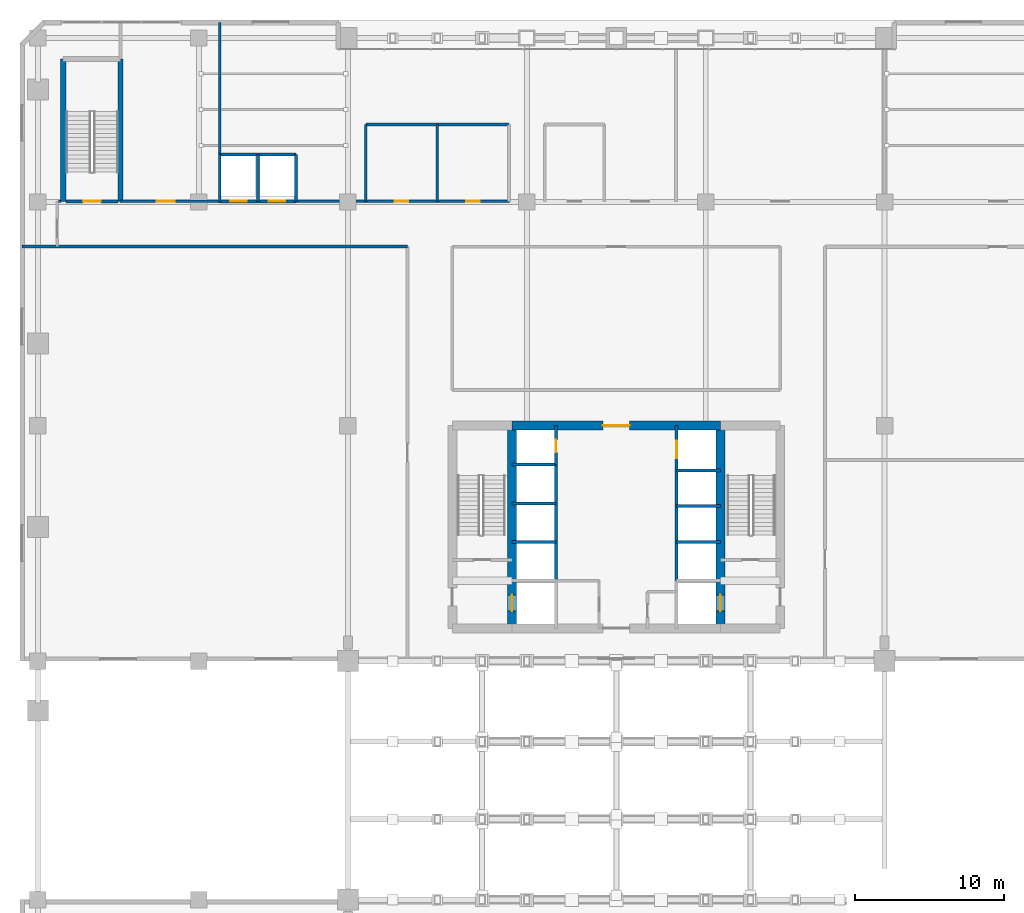
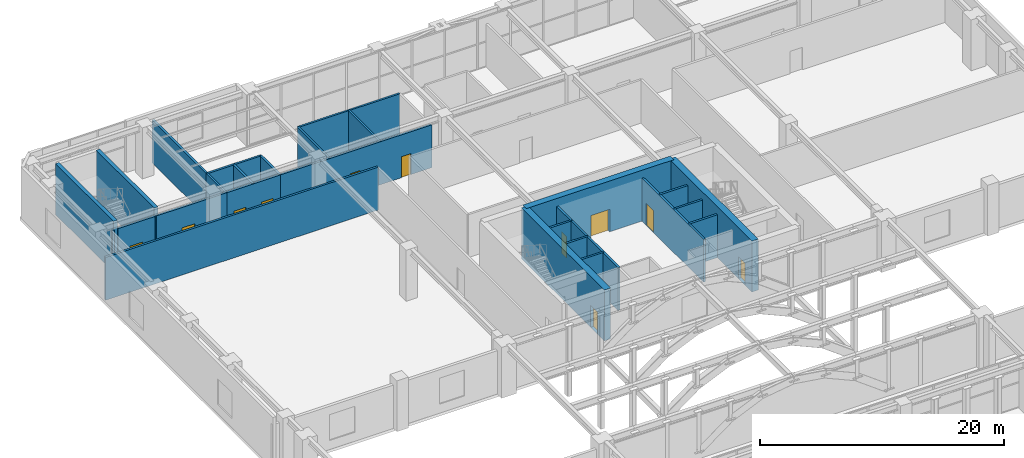
# One storey, part 27 of 32: 28 walls, 11 doors, 11 openings.
"""IFC4 building model written with IfcOpenShell, lengths in metres."""

from ifc_helpers import new_model, si_unit, direction, frame, frame_2d, origin, place, context, subcontext, project, spatial, rectangle, extrude, material, layer, layer_set, type_object, element, fill, save


model = new_model("IFC4")

# Units and contexts
model_context = context("Model", 3, precision=1e-05, world=origin(), true_north=direction((0.0, 1.0)))
body_context = subcontext(model_context, "Body", "Model", "MODEL_VIEW")
ifc_project = project(units=[si_unit("LENGTHUNIT", "METRE"), si_unit("AREAUNIT", "SQUARE_METRE"), si_unit("VOLUMEUNIT", "CUBIC_METRE"), si_unit("PLANEANGLEUNIT", "RADIAN"), si_unit("MASSUNIT", "GRAM", prefix="KILO")], contexts=[model_context])

# Site, building, storey
site_placement = place(None, origin())
site = spatial("IfcSite", under=ifc_project, at=site_placement, CompositionType="ELEMENT")
building_placement = place(site_placement, origin())
building = spatial("IfcBuilding", under=site, at=building_placement, Name="Sarneth Arch Tower", CompositionType="ELEMENT")
storey_placement = place(building_placement, frame((0.0, 0.0, 11.39990234375)))
storey = spatial("IfcBuildingStorey", under=building, at=storey_placement, Name="L02", CompositionType="ELEMENT", Elevation=11.39990234375)

# Walls
ifc_material_1 = material(Name="Concrete C50/60", Category="concrete")
ifc_layer_1 = layer(ifc_material_1, 0.35009765625)
ifc_layer_set_1 = layer_set([ifc_layer_1], Name="Concrete C50/60")
wall_type_1 = type_object("IfcWallType", Name="WALL-CORE-350", PredefinedType="SHEAR", material=ifc_layer_set_1)
for number, where, z_axis, x_axis, name in (
    (1, (10.89990234375, 63.85009765625, 0.0), (0.0, 0.0, 1.0), (0.0, 1.0, 0.0), "L02 Podium stair core wall STP1-W"),
    (2, (14.75, 63.85009765625, 0.0), (0.0, 0.0, 1.0), (0.0, 1.0, 0.0), "L02 Podium stair core wall STP1-E"),
):
    element("IfcWall", number, at=place(storey_placement, frame(where, z_axis=z_axis, x_axis=x_axis)), inside=storey, type_object=wall_type_1, Name=name, PredefinedType="SHEAR", context=body_context, shape_type="SweptSolid", body=[
        extrude(rectangle(XDim=9.5498046875, YDim=0.35009765625, at=frame_2d((4.77490234375, 0.0))), origin(), (0.0, 0.0, 1.0), 5.10009765625),
    ])

# Wall, opening, door
ifc_material_2 = material(Name="Concrete C60/75", Category="concrete")
ifc_layer_2 = layer(ifc_material_2, 0.60009765625)
ifc_layer_set_2 = layer_set([ifc_layer_2], Name="Concrete C60/75")
wall_type_2 = type_object("IfcWallType", Name="WALL-CORE-600", PredefinedType="SHEAR", material=ifc_layer_set_2)
wall_1_placement = place(storey_placement, frame((41.0, 48.800048828125, 0.0), z_axis=(0.0, 0.0, 1.0), x_axis=(1.0, 0.0, 0.0)))
wall_1 = element("IfcWall", 3, at=wall_1_placement, inside=storey, type_object=wall_type_2, Name="L02 Core shear wall N-M", PredefinedType="SHEAR", context=body_context, shape_type="SweptSolid", body=[
    extrude(rectangle(XDim=14.0, YDim=0.60009765625, at=frame_2d((7.0, 0.0))), origin(), (0.0, 0.0, 1.0), 5.10009765625),
])
opening_1_placement = place(wall_1_placement, frame((6.10009765625, 0.0, 0.0)))
opening_1 = element("IfcOpeningElement", 4, at=opening_1_placement, cuts=wall_1, Name="Opening FD-01", PredefinedType="OPENING", context=body_context, shape_type="SweptSolid", body=[
    extrude(rectangle(XDim=1.800048828125, YDim=2.25, at=frame_2d((0.89990234375, 1.125))), frame((0.0, 0.31005859375, 0.0), z_axis=(0.0, -1.0, 0.0), x_axis=(1.0, 0.0, 0.0)), (0.0, 0.0, 1.0), 0.6201171875),
])
ifc_material_3 = material(Name="Galvanised Steel S275 fire door set", Category="steel")
door_type_1 = type_object("IfcDoorType", Name="DR-FD90-1800", OperationType="DOUBLE_DOOR_SINGLE_SWING", PredefinedType="DOOR", material=ifc_material_3)
door_1_placement = place(opening_1_placement, origin())
door_1 = element("IfcDoor", 5, at=door_1_placement, inside=storey, type_object=door_type_1, Name="L02 Central lift lobby north door", OperationType="DOUBLE_DOOR_SINGLE_SWING", OverallHeight=2.25, OverallWidth=1.800048828125, PredefinedType="DOOR", context=body_context, shape_type="SweptSolid", body=[
    extrude(rectangle(XDim=1.800048828125, YDim=2.25, at=frame_2d((0.89990234375, 1.125))), frame((0.0, 0.02490234375, 0.0), z_axis=(0.0, -1.0, 0.0), x_axis=(1.0, 0.0, 0.0)), (0.0, 0.0, 1.0), 0.050048828125),
])
fill(opening_1, door_1)

wall_2_placement = place(storey_placement, frame((41.0, 35.199951171875, 0.0), z_axis=(0.0, 0.0, 1.0), x_axis=(0.0, 1.0, 0.0)))
wall_2 = element("IfcWall", 6, at=wall_2_placement, inside=storey, type_object=wall_type_2, Name="L02 Core shear wall WEB-W", PredefinedType="SHEAR", context=body_context, shape_type="SweptSolid", body=[
    extrude(rectangle(XDim=13.60009765625, YDim=0.60009765625, at=frame_2d((6.800048828125, 0.0))), origin(), (0.0, 0.0, 1.0), 5.10009765625),
])
opening_2_placement = place(wall_2_placement, frame((1.14990234375, 0.0, 0.0)))
opening_2 = element("IfcOpeningElement", 7, at=opening_2_placement, cuts=wall_2, Name="Opening LD-1", PredefinedType="OPENING", context=body_context, shape_type="SweptSolid", body=[
    extrude(rectangle(XDim=1.10009765625, YDim=2.199951171875, at=frame_2d((0.550048828125, 1.10009765625))), frame((0.0, 0.31005859375, 0.0), z_axis=(0.0, -1.0, 0.0), x_axis=(1.0, 0.0, 0.0)), (0.0, 0.0, 1.0), 0.6201171875),
])
ifc_material_4 = material(Name="Brushed Stainless Steel 304 lift landing door", Category="steel")
door_type_2 = type_object("IfcDoorType", Name="DR-LIFT-SLIDE-1100", OperationType="SLIDING_TO_LEFT", PredefinedType="DOOR", material=ifc_material_4)
door_2_placement = place(opening_2_placement, origin())
door_2 = element("IfcDoor", 8, at=door_2_placement, inside=storey, type_object=door_type_2, Name="L02 Firefighting lift landing door FL-1", OperationType="SLIDING_TO_LEFT", OverallHeight=2.199951171875, OverallWidth=1.10009765625, PredefinedType="DOOR", context=body_context, shape_type="SweptSolid", body=[
    extrude(rectangle(XDim=1.10009765625, YDim=2.199951171875, at=frame_2d((0.550048828125, 1.10009765625))), frame((0.0, 0.02490234375, 0.0), z_axis=(0.0, -1.0, 0.0), x_axis=(1.0, 0.0, 0.0)), (0.0, 0.0, 1.0), 0.050048828125),
])
fill(opening_2, door_2)

wall_3_placement = place(storey_placement, frame((55.0, 35.199951171875, 0.0), z_axis=(0.0, 0.0, 1.0), x_axis=(0.0, 1.0, 0.0)))
wall_3 = element("IfcWall", 9, at=wall_3_placement, inside=storey, type_object=wall_type_2, Name="L02 Core shear wall WEB-E", PredefinedType="SHEAR", context=body_context, shape_type="SweptSolid", body=[
    extrude(rectangle(XDim=13.60009765625, YDim=0.60009765625, at=frame_2d((6.800048828125, 0.0))), origin(), (0.0, 0.0, 1.0), 5.10009765625),
])
opening_3_placement = place(wall_3_placement, frame((1.14990234375, 0.0, 0.0)))
opening_3 = element("IfcOpeningElement", 10, at=opening_3_placement, cuts=wall_3, Name="Opening LD-1", PredefinedType="OPENING", context=body_context, shape_type="SweptSolid", body=[
    extrude(rectangle(XDim=1.10009765625, YDim=2.199951171875, at=frame_2d((0.550048828125, 1.10009765625))), frame((0.0, 0.31005859375, 0.0), z_axis=(0.0, -1.0, 0.0), x_axis=(1.0, 0.0, 0.0)), (0.0, 0.0, 1.0), 0.6201171875),
])
door_3_placement = place(opening_3_placement, origin())
door_3 = element("IfcDoor", 11, at=door_3_placement, inside=storey, type_object=door_type_2, Name="L02 Firefighting lift landing door FL-2", OperationType="SLIDING_TO_RIGHT", OverallHeight=2.199951171875, OverallWidth=1.10009765625, PredefinedType="DOOR", context=body_context, shape_type="SweptSolid", body=[
    extrude(rectangle(XDim=1.10009765625, YDim=2.199951171875, at=frame_2d((0.550048828125, 1.10009765625))), frame((0.0, 0.02490234375, 0.0), z_axis=(0.0, -1.0, 0.0), x_axis=(1.0, 0.0, 0.0)), (0.0, 0.0, 1.0), 0.050048828125),
])
fill(opening_3, door_3)

ifc_material_5 = material(Name="Double steel-stud corridor fire wall", Category="steel")
ifc_layer_3 = layer(ifc_material_5, 0.18994140625)
ifc_layer_set_3 = layer_set([ifc_layer_3], Name="Double steel-stud corridor fire wall")
wall_type_3 = type_object("IfcWallType", Name="WALL-CORR-190", PredefinedType="PARTITIONING", material=ifc_layer_set_3)
wall_4_placement = place(storey_placement, frame((14.718017578125, 63.85009765625, 0.0), z_axis=(0.0, 0.0, 1.0), x_axis=(1.0, 0.0, 0.0)))
wall_4 = element("IfcWall", 12, at=wall_4_placement, inside=storey, type_object=wall_type_3, Name="L02 Interior partition W-L02-TP-018", PredefinedType="PARTITIONING", context=body_context, shape_type="SweptSolid", body=[
    extrude(rectangle(XDim=6.7138671875, YDim=0.18994140625, at=frame_2d((3.35693359375, 0.0))), origin(), (0.0, 0.0, 1.0), 4.300048828125),
])
opening_4_placement = place(wall_4_placement, frame((2.45703125, 0.0, 0.0)))
opening_4 = element("IfcOpeningElement", 13, at=opening_4_placement, cuts=wall_4, Name="Opening FD-06", PredefinedType="OPENING", context=body_context, shape_type="SweptSolid", body=[
    extrude(rectangle(XDim=1.199951171875, YDim=2.25, at=frame_2d((0.60009765625, 1.125))), frame((0.0, 0.10498046875, 0.0), z_axis=(0.0, -1.0, 0.0), x_axis=(1.0, 0.0, 0.0)), (0.0, 0.0, 1.0), 0.2099609375),
])
ifc_material_6 = material(Name="Hardwood timber acoustic fire door", Category="wood")
door_type_3 = type_object("IfcDoorType", Name="DR-FD60-1200", OperationType="SINGLE_SWING_LEFT", PredefinedType="DOOR", material=ifc_material_6)
door_4_placement = place(opening_4_placement, origin())
door_4 = element("IfcDoor", 14, at=door_4_placement, inside=storey, type_object=door_type_3, Name="L02 Interior door DR-L02-STRW", OperationType="SINGLE_SWING_RIGHT", OverallHeight=2.25, OverallWidth=1.199951171875, PredefinedType="DOOR", context=body_context, shape_type="SweptSolid", body=[
    extrude(rectangle(XDim=1.199951171875, YDim=2.25, at=frame_2d((0.60009765625, 1.125))), frame((0.0, 0.02490234375, 0.0), z_axis=(0.0, -1.0, 0.0), x_axis=(1.0, 0.0, 0.0)), (0.0, 0.0, 1.0), 0.050048828125),
])
fill(opening_4, door_4)

# Wall, openings, doors
wall_5_placement = place(storey_placement, frame((26.468017578125, 63.85009765625, 0.0), z_axis=(0.0, 0.0, 1.0), x_axis=(1.0, 0.0, 0.0)))
wall_5 = element("IfcWall", 15, at=wall_5_placement, inside=storey, type_object=wall_type_3, Name="L02 Interior partition W-L02-TP-010", PredefinedType="PARTITIONING", context=body_context, shape_type="SweptSolid", body=[
    extrude(rectangle(XDim=14.364013671875, YDim=0.18994140625, at=frame_2d((7.18212890625, 0.0))), origin(), (0.0, 0.0, 1.0), 4.300048828125),
])
opening_5_placement = place(wall_5_placement, frame((6.681884765625, 0.0, 0.0)))
opening_5 = element("IfcOpeningElement", 16, at=opening_5_placement, cuts=wall_5, Name="Opening ID-01", PredefinedType="OPENING", context=body_context, shape_type="SweptSolid", body=[
    extrude(rectangle(XDim=0.89990234375, YDim=2.10009765625, at=frame_2d((0.449951171875, 1.050048828125))), frame((0.0, 0.10498046875, 0.0), z_axis=(0.0, -1.0, 0.0), x_axis=(1.0, 0.0, 0.0)), (0.0, 0.0, 1.0), 0.2099609375),
])
opening_6_placement = place(wall_5_placement, frame((11.48193359375, 0.0, 0.0)))
opening_6 = element("IfcOpeningElement", 17, at=opening_6_placement, cuts=wall_5, Name="Opening ID-01", PredefinedType="OPENING", context=body_context, shape_type="SweptSolid", body=[
    extrude(rectangle(XDim=0.89990234375, YDim=2.10009765625, at=frame_2d((0.449951171875, 1.050048828125))), frame((0.0, 0.10498046875, 0.0), z_axis=(0.0, -1.0, 0.0), x_axis=(1.0, 0.0, 0.0)), (0.0, 0.0, 1.0), 0.2099609375),
])
ifc_material_7 = material(Name="Engineered hardwood flush door", Category="wood")
door_type_4 = type_object("IfcDoorType", Name="DR-INT-900", OperationType="SINGLE_SWING_LEFT", PredefinedType="DOOR", material=ifc_material_7)
door_5_placement = place(opening_5_placement, origin())
door_5 = element("IfcDoor", 18, at=door_5_placement, inside=storey, type_object=door_type_4, Name="L02 Interior door DR-L02-WCM", OperationType="SINGLE_SWING_RIGHT", OverallHeight=2.10009765625, OverallWidth=0.89990234375, PredefinedType="DOOR", context=body_context, shape_type="SweptSolid", body=[
    extrude(rectangle(XDim=0.89990234375, YDim=2.10009765625, at=frame_2d((0.449951171875, 1.050048828125))), frame((0.0, 0.02490234375, 0.0), z_axis=(0.0, -1.0, 0.0), x_axis=(1.0, 0.0, 0.0)), (0.0, 0.0, 1.0), 0.050048828125),
])
fill(opening_5, door_5)
door_6_placement = place(opening_6_placement, origin())
door_6 = element("IfcDoor", 19, at=door_6_placement, inside=storey, type_object=door_type_4, Name="L02 Interior door DR-L02-WCW", OperationType="SINGLE_SWING_LEFT", OverallHeight=2.10009765625, OverallWidth=0.89990234375, PredefinedType="DOOR", context=body_context, shape_type="SweptSolid", body=[
    extrude(rectangle(XDim=0.89990234375, YDim=2.10009765625, at=frame_2d((0.449951171875, 1.050048828125))), frame((0.0, 0.02490234375, 0.0), z_axis=(0.0, -1.0, 0.0), x_axis=(1.0, 0.0, 0.0)), (0.0, 0.0, 1.0), 0.050048828125),
])
fill(opening_6, door_6)

# Walls
wall_6_placement = place(storey_placement, frame((10.580078125, 63.85009765625, 0.0), z_axis=(0.0, 0.0, 1.0), x_axis=(1.0, 0.0, 0.0)))
element("IfcWall", 20, at=wall_6_placement, inside=storey, type_object=wall_type_3, Name="L02 Interior partition W-L02-TP-020", PredefinedType="PARTITIONING", context=body_context, shape_type="SweptSolid", body=[
    extrude(rectangle(XDim=0.159912109375, YDim=0.18994140625, at=frame_2d((0.080078125, 0.0))), origin(), (0.0, 0.0, 1.0), 4.300048828125),
])
ifc_material_8 = material(Name="Moisture-resistant plumbing chase wall", Category="gypsum")
ifc_layer_4 = layer(ifc_material_8, 0.179931640625)
ifc_layer_set_4 = layer_set([ifc_layer_4], Name="Moisture-resistant plumbing chase wall")
wall_type_4 = type_object("IfcWallType", Name="WALL-PLUMB-180", PredefinedType="PLUMBINGWALL", material=ifc_layer_set_4)
for number, where, z_axis, x_axis, name in (
    (21, (36.0, 69.0, 0.0), (0.0, 0.0, 1.0), (0.0, -1.0, 0.0), "L02 Interior partition W-L02-TP-025"),
    (22, (31.199951171875, 63.85009765625, 0.0), (0.0, 0.0, 1.0), (0.0, 1.0, 0.0), "L02 Interior partition W-L02-TP-026"),
):
    element("IfcWall", number, at=place(storey_placement, frame(where, z_axis=z_axis, x_axis=x_axis)), inside=storey, type_object=wall_type_4, Name=name, PredefinedType="PLUMBINGWALL", context=body_context, shape_type="SweptSolid", body=[
        extrude(rectangle(XDim=5.14990234375, YDim=0.179931640625, at=frame_2d((2.574951171875, 0.0))), origin(), (0.0, 0.0, 1.0), 4.300048828125),
    ])
wall_7_placement = place(storey_placement, frame((31.199951171875, 69.0, 0.0), z_axis=(0.0, 0.0, 1.0), x_axis=(1.0, 0.0, 0.0)))
element("IfcWall", 23, at=wall_7_placement, inside=storey, type_object=wall_type_4, Name="L02 Interior partition W-L02-TP-027", PredefinedType="PLUMBINGWALL", context=body_context, shape_type="SweptSolid", body=[
    extrude(rectangle(XDim=9.60009765625, YDim=0.179931640625, at=frame_2d((4.800048828125, 0.0))), origin(), (0.0, 0.0, 1.0), 4.300048828125),
])
ifc_material_9 = material(Name="Aerated concrete blockwork C25/30", Category="masonry")
ifc_layer_5 = layer(ifc_material_9, 0.199951171875)
ifc_layer_set_5 = layer_set([ifc_layer_5], Name="Aerated concrete blockwork C25/30")
wall_type_5 = type_object("IfcWallType", Name="WALL-SHAFT-200", PredefinedType="SOLIDWALL", material=ifc_layer_set_5)
wall_8_placement = place(storey_placement, frame((41.0, 46.199951171875, 0.0), z_axis=(0.0, 0.0, 1.0), x_axis=(1.0, 0.0, 0.0)))
element("IfcWall", 24, at=wall_8_placement, inside=storey, type_object=wall_type_5, Name="L02 Interior partition W-L02-RISER-S", PredefinedType="SOLIDWALL", context=body_context, shape_type="SweptSolid", body=[
    extrude(rectangle(XDim=2.949951171875, YDim=0.199951171875, at=frame_2d((1.47509765625, 0.0))), origin(), (0.0, 0.0, 1.0), 4.300048828125),
])

# Wall, opening, door
wall_9_placement = place(storey_placement, frame((43.949951171875, 46.199951171875, 0.0), z_axis=(0.0, 0.0, 1.0), x_axis=(0.0, 1.0, 0.0)))
wall_9 = element("IfcWall", 25, at=wall_9_placement, inside=storey, type_object=wall_type_5, Name="L02 Interior partition W-L02-RISER-E", PredefinedType="SOLIDWALL", context=body_context, shape_type="SweptSolid", body=[
    extrude(rectangle(XDim=2.60009765625, YDim=0.199951171875, at=frame_2d((1.300048828125, 0.0))), origin(), (0.0, 0.0, 1.0), 4.300048828125),
])
opening_7_placement = place(wall_9_placement, frame((0.800048828125, 0.0, 0.0)))
opening_7 = element("IfcOpeningElement", 26, at=opening_7_placement, cuts=wall_9, Name="Opening FD-11", PredefinedType="OPENING", context=body_context, shape_type="SweptSolid", body=[
    extrude(rectangle(XDim=0.85009765625, YDim=2.14990234375, at=frame_2d((0.425048828125, 1.074951171875))), frame((0.0, 0.10986328125, 0.0), z_axis=(0.0, -1.0, 0.0), x_axis=(1.0, 0.0, 0.0)), (0.0, 0.0, 1.0), 0.219970703125),
])
ifc_material_10 = material(Name="Galvanised Steel S275 closet fire door", Category="steel")
door_type_5 = type_object("IfcDoorType", Name="DR-FD60-850", OperationType="SINGLE_SWING_LEFT", PredefinedType="DOOR", material=ifc_material_10)
door_7_placement = place(opening_7_placement, origin())
door_7 = element("IfcDoor", 27, at=door_7_placement, inside=storey, type_object=door_type_5, Name="L02 Lift landing door DR-L02-RISER", OperationType="SINGLE_SWING_LEFT", OverallHeight=2.14990234375, OverallWidth=0.85009765625, PredefinedType="DOOR", context=body_context, shape_type="SweptSolid", body=[
    extrude(rectangle(XDim=0.85009765625, YDim=2.14990234375, at=frame_2d((0.425048828125, 1.074951171875))), frame((0.0, 0.02490234375, 0.0), z_axis=(0.0, -1.0, 0.0), x_axis=(1.0, 0.0, 0.0)), (0.0, 0.0, 1.0), 0.050048828125),
])
fill(opening_7, door_7)

# Walls
wall_10_placement = place(storey_placement, frame((43.949951171875, 38.39990234375, 0.0), z_axis=(0.0, 0.0, 1.0), x_axis=(0.0, 1.0, 0.0)))
element("IfcWall", 28, at=wall_10_placement, inside=storey, type_object=wall_type_5, Name="L02 Interior partition W-L02-WESTBANK-FRONT", PredefinedType="SOLIDWALL", context=body_context, shape_type="SweptSolid", body=[
    extrude(rectangle(XDim=7.800048828125, YDim=0.199951171875, at=frame_2d((3.89990234375, 0.0))), origin(), (0.0, 0.0, 1.0), 4.300048828125),
])
for number, where, z_axis, x_axis, name in (
    (29, (41.0, 40.97998046875, 0.0), (0.0, 0.0, 1.0), (1.0, 0.0, 0.0), "L02 Interior partition W-L02-WB-DIV-4098"),
    (30, (41.0, 43.580078125, 0.0), (0.0, 0.0, 1.0), (1.0, 0.0, 0.0), "L02 Interior partition W-L02-WB-DIV-4358"),
):
    element("IfcWall", number, at=place(storey_placement, frame(where, z_axis=z_axis, x_axis=x_axis)), inside=storey, type_object=wall_type_5, Name=name, PredefinedType="SOLIDWALL", context=body_context, shape_type="SweptSolid", body=[
        extrude(rectangle(XDim=2.949951171875, YDim=0.199951171875, at=frame_2d((1.47509765625, 0.0))), origin(), (0.0, 0.0, 1.0), 4.300048828125),
    ])

# Wall, opening, door
wall_11_placement = place(storey_placement, frame((52.050048828125, 38.39990234375, 0.0), z_axis=(0.0, 0.0, 1.0), x_axis=(0.0, 1.0, 0.0)))
wall_11 = element("IfcWall", 31, at=wall_11_placement, inside=storey, type_object=wall_type_5, Name="L02 Interior partition W-L02-EASTBANK-FRONT", PredefinedType="SOLIDWALL", context=body_context, shape_type="SweptSolid", body=[
    extrude(rectangle(XDim=10.400146484375, YDim=0.199951171875, at=frame_2d((5.2001953125, 0.0))), origin(), (0.0, 0.0, 1.0), 4.300048828125),
])
opening_8_placement = place(wall_11_placement, frame((8.199951171875, 0.0, 0.0)))
opening_8 = element("IfcOpeningElement", 32, at=opening_8_placement, cuts=wall_11, Name="Opening LD-2", PredefinedType="OPENING", context=body_context, shape_type="SweptSolid", body=[
    extrude(rectangle(XDim=1.199951171875, YDim=2.199951171875, at=frame_2d((0.60009765625, 1.10009765625))), frame((0.0, 0.10986328125, 0.0), z_axis=(0.0, -1.0, 0.0), x_axis=(1.0, 0.0, 0.0)), (0.0, 0.0, 1.0), 0.219970703125),
])
ifc_material_11 = material(Name="Brushed Stainless Steel 304 service lift door", Category="steel")
door_type_6 = type_object("IfcDoorType", Name="DR-LIFT-SLIDE-1200", OperationType="SLIDING_TO_RIGHT", PredefinedType="DOOR", material=ifc_material_11)
door_8_placement = place(opening_8_placement, origin())
door_8 = element("IfcDoor", 33, at=door_8_placement, inside=storey, type_object=door_type_6, Name="L02 Lift landing door DR-L02-LD-SL1", OperationType="SLIDING_TO_RIGHT", OverallHeight=2.199951171875, OverallWidth=1.199951171875, PredefinedType="DOOR", context=body_context, shape_type="SweptSolid", body=[
    extrude(rectangle(XDim=1.199951171875, YDim=2.199951171875, at=frame_2d((0.60009765625, 1.10009765625))), frame((0.0, 0.02490234375, 0.0), z_axis=(0.0, -1.0, 0.0), x_axis=(1.0, 0.0, 0.0)), (0.0, 0.0, 1.0), 0.050048828125),
])
fill(opening_8, door_8)

# Walls
for number, where, z_axis, x_axis, name in (
    (34, (52.050048828125, 40.97998046875, 0.0), (0.0, 0.0, 1.0), (1.0, 0.0, 0.0), "L02 Interior partition W-L02-EB-DIV-4098"),
    (35, (52.050048828125, 43.419921875, 0.0), (0.0, 0.0, 1.0), (1.0, 0.0, 0.0), "L02 Interior partition W-L02-EB-DIV-4342"),
    (36, (52.050048828125, 45.800048828125, 0.0), (0.0, 0.0, 1.0), (1.0, 0.0, 0.0), "L02 Interior partition W-L02-EB-DIV-4580"),
):
    element("IfcWall", number, at=place(storey_placement, frame(where, z_axis=z_axis, x_axis=x_axis)), inside=storey, type_object=wall_type_5, Name=name, PredefinedType="SOLIDWALL", context=body_context, shape_type="SweptSolid", body=[
        extrude(rectangle(XDim=2.949951171875, YDim=0.199951171875, at=frame_2d((1.47509765625, 0.0))), origin(), (0.0, 0.0, 1.0), 4.300048828125),
    ])

# Wall, opening, door
wall_12_placement = place(storey_placement, frame((11.080078125, 63.85009765625, 0.0), z_axis=(0.0, 0.0, 1.0), x_axis=(1.0, 0.0, 0.0)))
wall_12 = element("IfcWall", 37, at=wall_12_placement, inside=storey, type_object=wall_type_5, Name="L02 Interior partition W-L02-STP1-S", PredefinedType="SOLIDWALL", context=body_context, shape_type="SweptSolid", body=[
    extrude(rectangle(XDim=3.489990234375, YDim=0.199951171875, at=frame_2d((1.7451171875, 0.0))), origin(), (0.0, 0.0, 1.0), 4.300048828125),
])
opening_9_placement = place(wall_12_placement, frame((1.14990234375, 0.0, 0.0)))
opening_9 = element("IfcOpeningElement", 38, at=opening_9_placement, cuts=wall_12, Name="Opening FD-02", PredefinedType="OPENING", context=body_context, shape_type="SweptSolid", body=[
    extrude(rectangle(XDim=1.199951171875, YDim=2.14990234375, at=frame_2d((0.60009765625, 1.074951171875))), frame((0.0, 0.10986328125, 0.0), z_axis=(0.0, -1.0, 0.0), x_axis=(1.0, 0.0, 0.0)), (0.0, 0.0, 1.0), 0.219970703125),
])
ifc_material_12 = material(Name="Galvanised Steel S275 fire door set", Category="steel")
door_type_7 = type_object("IfcDoorType", Name="DR-FD90-1200", OperationType="SINGLE_SWING_LEFT", PredefinedType="DOOR", material=ifc_material_12)
door_9_placement = place(opening_9_placement, origin())
door_9 = element("IfcDoor", 39, at=door_9_placement, inside=storey, type_object=door_type_7, Name="L02 Interior door DR-L02-STP1", OperationType="SINGLE_SWING_LEFT", OverallHeight=2.14990234375, OverallWidth=1.199951171875, PredefinedType="DOOR", context=body_context, shape_type="SweptSolid", body=[
    extrude(rectangle(XDim=1.199951171875, YDim=2.14990234375, at=frame_2d((0.60009765625, 1.074951171875))), frame((0.0, 0.02490234375, 0.0), z_axis=(0.0, -1.0, 0.0), x_axis=(1.0, 0.0, 0.0)), (0.0, 0.0, 1.0), 0.050048828125),
])
fill(opening_9, door_9)

# Walls
for number, where, z_axis, x_axis, name in (
    (40, (21.39990234375, 63.85009765625, 0.0), (0.0, 0.0, 1.0), (0.0, 1.0, 0.0), "L02 Interior partition W-L02-PP-W"),
    (41, (26.5, 63.85009765625, 0.0), (0.0, 0.0, 1.0), (0.0, 1.0, 0.0), "L02 Interior partition W-L02-PP-E"),
):
    element("IfcWall", number, at=place(storey_placement, frame(where, z_axis=z_axis, x_axis=x_axis)), inside=storey, type_object=wall_type_5, Name=name, PredefinedType="SOLIDWALL", context=body_context, shape_type="SweptSolid", body=[
        extrude(rectangle(XDim=3.14990234375, YDim=0.199951171875, at=frame_2d((1.574951171875, 0.0))), origin(), (0.0, 0.0, 1.0), 4.300048828125),
    ])
wall_13_placement = place(storey_placement, frame((21.39990234375, 67.0, 0.0), z_axis=(0.0, 0.0, 1.0), x_axis=(1.0, 0.0, 0.0)))
element("IfcWall", 42, at=wall_13_placement, inside=storey, type_object=wall_type_5, Name="L02 Interior partition W-L02-PP-N", PredefinedType="SOLIDWALL", context=body_context, shape_type="SweptSolid", body=[
    extrude(rectangle(XDim=5.10009765625, YDim=0.199951171875, at=frame_2d((2.550048828125, 0.0))), origin(), (0.0, 0.0, 1.0), 4.300048828125),
])
wall_14_placement = place(storey_placement, frame((23.949951171875, 63.85009765625, 0.0), z_axis=(0.0, 0.0, 1.0), x_axis=(0.0, 1.0, 0.0)))
element("IfcWall", 43, at=wall_14_placement, inside=storey, type_object=wall_type_5, Name="L02 Interior partition W-L02-PP-M", PredefinedType="SOLIDWALL", context=body_context, shape_type="SweptSolid", body=[
    extrude(rectangle(XDim=3.14990234375, YDim=0.199951171875, at=frame_2d((1.574951171875, 0.0))), origin(), (0.0, 0.0, 1.0), 4.300048828125),
])

# Wall, openings, doors
wall_15_placement = place(storey_placement, frame((21.39990234375, 63.85009765625, 0.0), z_axis=(0.0, 0.0, 1.0), x_axis=(1.0, 0.0, 0.0)))
wall_15 = element("IfcWall", 44, at=wall_15_placement, inside=storey, type_object=wall_type_5, Name="L02 Interior partition W-L02-PP-S", PredefinedType="SOLIDWALL", context=body_context, shape_type="SweptSolid", body=[
    extrude(rectangle(XDim=5.10009765625, YDim=0.199951171875, at=frame_2d((2.550048828125, 0.0))), origin(), (0.0, 0.0, 1.0), 4.300048828125),
])
opening_10_placement = place(wall_15_placement, frame((0.699951171875, 0.0, 0.0)))
opening_10 = element("IfcOpeningElement", 45, at=opening_10_placement, cuts=wall_15, Name="Opening LD-1", PredefinedType="OPENING", context=body_context, shape_type="SweptSolid", body=[
    extrude(rectangle(XDim=1.10009765625, YDim=2.199951171875, at=frame_2d((0.550048828125, 1.10009765625))), frame((0.0, 0.10986328125, 0.0), z_axis=(0.0, -1.0, 0.0), x_axis=(1.0, 0.0, 0.0)), (0.0, 0.0, 1.0), 0.219970703125),
])
opening_11_placement = place(wall_15_placement, frame((3.300048828125, 0.0, 0.0)))
opening_11 = element("IfcOpeningElement", 46, at=opening_11_placement, cuts=wall_15, Name="Opening LD-1", PredefinedType="OPENING", context=body_context, shape_type="SweptSolid", body=[
    extrude(rectangle(XDim=1.10009765625, YDim=2.199951171875, at=frame_2d((0.550048828125, 1.10009765625))), frame((0.0, 0.10986328125, 0.0), z_axis=(0.0, -1.0, 0.0), x_axis=(1.0, 0.0, 0.0)), (0.0, 0.0, 1.0), 0.219970703125),
])
door_10_placement = place(opening_10_placement, origin())
door_10 = element("IfcDoor", 47, at=door_10_placement, inside=storey, type_object=door_type_2, Name="L02 Lift landing door DR-L02-LD-PP1", OperationType="SLIDING_TO_LEFT", OverallHeight=2.199951171875, OverallWidth=1.10009765625, PredefinedType="DOOR", context=body_context, shape_type="SweptSolid", body=[
    extrude(rectangle(XDim=1.10009765625, YDim=2.199951171875, at=frame_2d((0.550048828125, 1.10009765625))), frame((0.0, 0.02490234375, 0.0), z_axis=(0.0, -1.0, 0.0), x_axis=(1.0, 0.0, 0.0)), (0.0, 0.0, 1.0), 0.050048828125),
])
fill(opening_10, door_10)
door_11_placement = place(opening_11_placement, origin())
door_11 = element("IfcDoor", 48, at=door_11_placement, inside=storey, type_object=door_type_2, Name="L02 Lift landing door DR-L02-LD-PP2", OperationType="SLIDING_TO_RIGHT", OverallHeight=2.199951171875, OverallWidth=1.10009765625, PredefinedType="DOOR", context=body_context, shape_type="SweptSolid", body=[
    extrude(rectangle(XDim=1.10009765625, YDim=2.199951171875, at=frame_2d((0.550048828125, 1.10009765625))), frame((0.0, 0.02490234375, 0.0), z_axis=(0.0, -1.0, 0.0), x_axis=(1.0, 0.0, 0.0)), (0.0, 0.0, 1.0), 0.050048828125),
])
fill(opening_11, door_11)

# Walls
ifc_material_13 = material(Name="Double steel-stud acoustic drywall", Category="steel")
ifc_layer_6 = layer(ifc_material_13, 0.199951171875)
ifc_layer_set_6 = layer_set([ifc_layer_6], Name="Double steel-stud acoustic drywall")
wall_type_6 = type_object("IfcWallType", Name="WALL-UNIT-200", PredefinedType="PARTITIONING", material=ifc_layer_set_6)
wall_16_placement = place(storey_placement, frame((8.14990234375, 60.800048828125, 0.0), z_axis=(0.0, 0.0, 1.0), x_axis=(1.0, 0.0, 0.0)))
element("IfcWall", 49, at=wall_16_placement, inside=storey, type_object=wall_type_6, Name="L02 Interior partition W-L02-TP-001", PredefinedType="PARTITIONING", context=body_context, shape_type="SweptSolid", body=[
    extrude(rectangle(XDim=25.85009765625, YDim=0.199951171875, at=frame_2d((12.925048828125, 0.0))), origin(), (0.0, 0.0, 1.0), 4.300048828125),
])
wall_17_placement = place(storey_placement, frame((21.39990234375, 67.0, 0.0), z_axis=(0.0, 0.0, 1.0), x_axis=(0.0, 1.0, 0.0)))
element("IfcWall", 50, at=wall_17_placement, inside=storey, type_object=wall_type_6, Name="L02 Interior partition W-L02-TP-034", PredefinedType="PARTITIONING", context=body_context, shape_type="SweptSolid", body=[
    extrude(rectangle(XDim=8.85009765625, YDim=0.199951171875, at=frame_2d((4.425048828125, 0.0))), origin(), (0.0, 0.0, 1.0), 4.300048828125),
])

save(model, "model.ifc")
